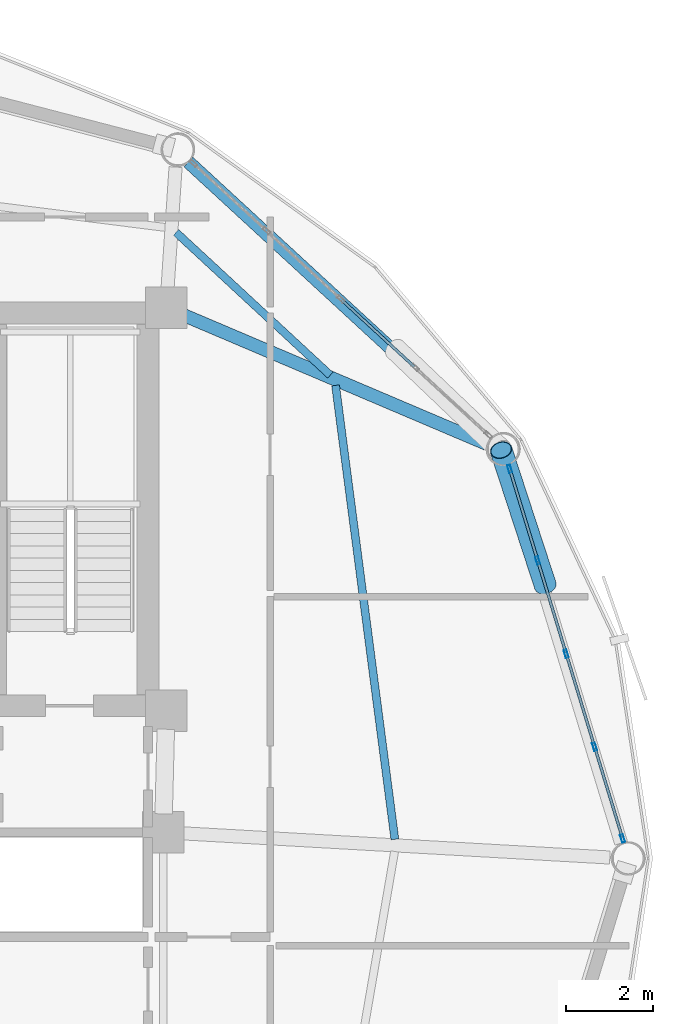
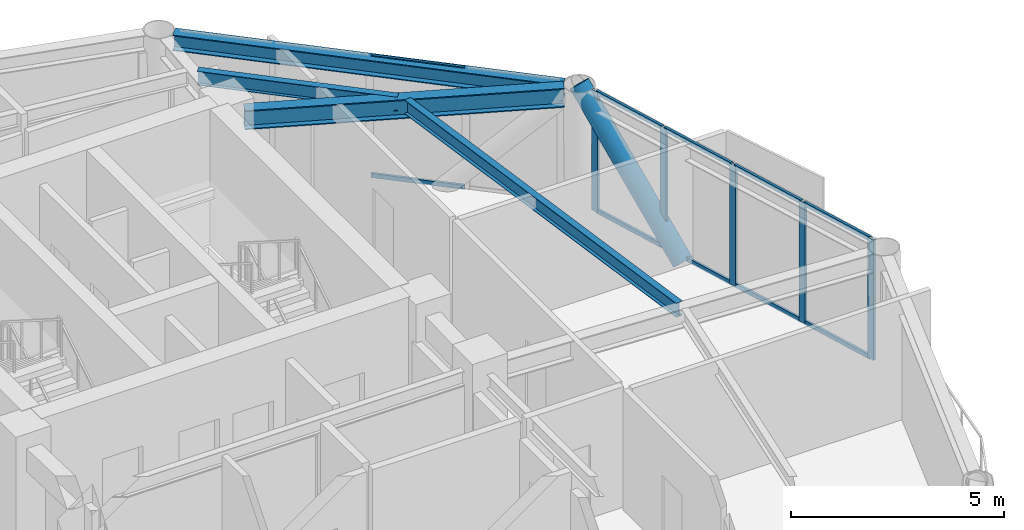
# One storey, part 16 of 26: 16 members, 4 beams, 2 elements without a shape of their own.
"""IFC4 building model written with IfcOpenShell, lengths in metres."""

from ifc_helpers import new_model, si_unit, direction, frame, origin, origin_2d, place, context, subcontext, project, spatial, hollow_rectangle, hollow_circle, i_section, extrude, material, layer, layer_set, material_profile, profile_set, type_object, element, aggregate, save


model = new_model("IFC4")

# Units and contexts
model_context = context("Model", 3, precision=1e-05, world=origin(), true_north=direction((0.0, 1.0)))
body_context = subcontext(model_context, "Body", "Model", "MODEL_VIEW")
ifc_project = project(units=[si_unit("LENGTHUNIT", "METRE"), si_unit("AREAUNIT", "SQUARE_METRE"), si_unit("VOLUMEUNIT", "CUBIC_METRE"), si_unit("PLANEANGLEUNIT", "RADIAN"), si_unit("MASSUNIT", "GRAM", prefix="KILO")], contexts=[model_context])

# Site, building, storey
site_placement = place(None, origin())
site = spatial("IfcSite", under=ifc_project, at=site_placement, CompositionType="ELEMENT")
building_placement = place(site_placement, origin())
building = spatial("IfcBuilding", under=site, at=building_placement, Name="Varnakorn Sky Granary", CompositionType="ELEMENT")
storey_placement = place(building_placement, frame((0.0, 0.0, 165.60009765625)))
storey = spatial("IfcBuildingStorey", under=building, at=storey_placement, Name="L41", CompositionType="ELEMENT", Elevation=165.60009765625)

# Beams
ifc_material_1 = material(Name="Steel S355JR", Category="steel")
ifc_material_profile_1 = material_profile(ifc_material_1, i_section(OverallWidth=0.300048828125, OverallDepth=0.550048828125, WebThickness=0.014892578125, FlangeThickness=0.029052734375, at=origin_2d()), Name="HE 550 B")
ifc_profile_set_1 = profile_set([ifc_material_profile_1], Name="Steel S355JR")
beam_type_1 = type_object("IfcBeamType", Name="BM-RAD-Z3", PredefinedType="BEAM", material=ifc_profile_set_1)
beam_1_placement = place(storey_placement, frame((8.806396484375, 12.455810546875, 3.1748046875), z_axis=(0.920271559853, -0.391280278223, 0.0), x_axis=(0.391280278223, 0.920271559853, 0.0)))
element("IfcBeam", 1, at=beam_1_placement, inside=storey, type_object=beam_type_1, Name="Radial Floor Girder RG02 L41", PredefinedType="BEAM", context=body_context, shape_type="SweptSolid", body=[
    extrude(i_section(OverallWidth=0.300048828125, OverallDepth=0.550048828125, WebThickness=0.014892578125, FlangeThickness=0.029052734375, at=origin_2d()), origin(), (0.0, 0.0, 1.0), 7.55224609375),
])
ifc_material_profile_2 = material_profile(ifc_material_1, i_section(OverallWidth=0.179931640625, OverallDepth=0.39990234375, WebThickness=0.008544921875, FlangeThickness=0.013427734375, at=origin_2d()), Name="IPE 400")
ifc_profile_set_2 = profile_set([ifc_material_profile_2], Name="Steel S355JR")
beam_type_2 = type_object("IfcBeamType", Name="BM-SEC-Z3", PredefinedType="BEAM", material=ifc_profile_set_2)
beam_2_placement = place(storey_placement, frame((13.65869140625, 0.437255859375, 3.25), z_axis=(-0.129558063632, 0.991571837109, 0.0), x_axis=(-0.991571837109, -0.129558063632, 0.0)))
element("IfcBeam", 2, at=beam_2_placement, inside=storey, type_object=beam_type_2, Name="Secondary Floor Chord Beam MSB01 L41", PredefinedType="BEAM", context=body_context, shape_type="SweptSolid", body=[
    extrude(i_section(OverallWidth=0.179931640625, OverallDepth=0.39990234375, WebThickness=0.008544921875, FlangeThickness=0.013427734375, at=origin_2d()), origin(), (0.0, 0.0, 1.0), 10.490478515625),
])
beam_3_placement = place(storey_placement, frame((12.1787109375, 11.0732421875, 3.25), z_axis=(-0.733870142748, 0.679289786161, 0.0), x_axis=(-0.679289786161, -0.733870142748, 0.0)))
element("IfcBeam", 3, at=beam_3_placement, inside=storey, type_object=beam_type_2, Name="Secondary Floor Chord Beam MSB02 L41", PredefinedType="BEAM", context=body_context, shape_type="SweptSolid", body=[
    extrude(i_section(OverallWidth=0.179931640625, OverallDepth=0.39990234375, WebThickness=0.008544921875, FlangeThickness=0.013427734375, at=origin_2d()), origin(), (0.0, 0.0, 1.0), 4.8173828125),
])
ifc_material_profile_3 = material_profile(ifc_material_1, i_section(OverallWidth=0.300048828125, OverallDepth=0.449951171875, WebThickness=0.013916015625, FlangeThickness=0.02587890625, at=origin_2d()), Name="HE 450 B")
ifc_profile_set_3 = profile_set([ifc_material_profile_3], Name="Steel S355JR")
beam_type_3 = type_object("IfcBeamType", Name="BM-SPD-Z3", PredefinedType="SPANDREL", material=ifc_profile_set_3)
beam_4_placement = place(storey_placement, frame((15.82421875, 9.60546875, 3.224853515625), z_axis=(-0.735474776919, 0.677552103174, 0.0), x_axis=(-0.677552103174, -0.735474776919, 0.0)))
element("IfcBeam", 4, at=beam_4_placement, inside=storey, type_object=beam_type_3, Name="Perimeter Spandrel Ring Beam RB02 L41", PredefinedType="SPANDREL", context=body_context, shape_type="SweptSolid", body=[
    extrude(i_section(OverallWidth=0.300048828125, OverallDepth=0.449951171875, WebThickness=0.013916015625, FlangeThickness=0.02587890625, at=origin_2d()), origin(), (0.0, 0.0, 1.0), 9.378173828125),
])

# Curtain wall, members
ifc_material_2 = material(Name="Anodised Bronze Aluminium Alloy 6063-T6", Category="aluminium")
ifc_layer = layer(ifc_material_2, 0.179931640625, Name="Anodised Bronze Aluminium Alloy 6063-T6")
ifc_layer_set = layer_set([ifc_layer], Name="Anodised Bronze Aluminium Alloy 6063-T6")
curtain_wall_type = type_object("IfcCurtainWallType", Name="CW-FRM-2", PredefinedType="USERDEFINED", material=ifc_layer_set)
curtain_wall_1_placement = place(storey_placement, origin())
curtain_wall_1 = element("IfcCurtainWall", 5, at=curtain_wall_1_placement, inside=storey, type_object=curtain_wall_type, Name="Unitised Curtain Wall CW4 CW-L41-B01", ObjectType="CURTAIN WALL", PredefinedType="USERDEFINED")
ifc_material_profile_4 = material_profile(ifc_material_2, hollow_rectangle(XDim=0.070068359375, YDim=0.18505859375, WallThickness=0.00390625, at=origin_2d()), Name="ALU MULL 70x185")
ifc_profile_set_4 = profile_set([ifc_material_profile_4], Name="Anodised Bronze Aluminium Alloy 6063-T6")
member_type_1 = type_object("IfcMemberType", Name="CW-FRM-2-MULL", PredefinedType="MULLION", material=ifc_profile_set_4)
member_1_placement = place(storey_placement, frame((16.290283203125, 8.92626953125, 0.0), z_axis=(0.0, 0.0, 1.0), x_axis=(0.956373568198, 0.292146535238, 0.0)))
member_1 = element("IfcMember", 6, at=member_1_placement, type_object=member_type_1, Name="CW4 mullion 1", PredefinedType="MULLION", context=body_context, shape_type="SweptSolid", body=[
    extrude(hollow_rectangle(XDim=0.070068359375, YDim=0.18505859375, WallThickness=0.00390625, at=origin_2d()), origin(), (0.0, 0.0, 1.0), 3.449951171875),
])
member_2_placement = place(storey_placement, frame((16.93212890625, 6.8251953125, 0.0), z_axis=(0.0, 0.0, 1.0), x_axis=(0.956373568198, 0.292146535238, 0.0)))
member_2 = element("IfcMember", 7, at=member_2_placement, type_object=member_type_1, Name="CW4 mullion 2", PredefinedType="MULLION", context=body_context, shape_type="SweptSolid", body=[
    extrude(hollow_rectangle(XDim=0.070068359375, YDim=0.18505859375, WallThickness=0.00390625, at=origin_2d()), origin(), (0.0, 0.0, 1.0), 3.449951171875),
])
member_3_placement = place(storey_placement, frame((17.584228515625, 4.690673828125, 0.0), z_axis=(0.0, 0.0, 1.0), x_axis=(0.956373568198, 0.292146535238, 0.0)))
member_3 = element("IfcMember", 8, at=member_3_placement, type_object=member_type_1, Name="CW4 mullion 3", PredefinedType="MULLION", context=body_context, shape_type="SweptSolid", body=[
    extrude(hollow_rectangle(XDim=0.070068359375, YDim=0.18505859375, WallThickness=0.00390625, at=origin_2d()), origin(), (0.0, 0.0, 1.0), 3.449951171875),
])
member_4_placement = place(storey_placement, frame((18.236083984375, 2.556396484375, 0.0), z_axis=(0.0, 0.0, 1.0), x_axis=(0.956373568198, 0.292146535238, 0.0)))
member_4 = element("IfcMember", 9, at=member_4_placement, type_object=member_type_1, Name="CW4 mullion 4", PredefinedType="MULLION", context=body_context, shape_type="SweptSolid", body=[
    extrude(hollow_rectangle(XDim=0.070068359375, YDim=0.18505859375, WallThickness=0.00390625, at=origin_2d()), origin(), (0.0, 0.0, 1.0), 3.449951171875),
])
member_5_placement = place(storey_placement, frame((18.8779296875, 0.455322265625, 0.0), z_axis=(0.0, 0.0, 1.0), x_axis=(0.956373568198, 0.292146535238, 0.0)))
member_5 = element("IfcMember", 10, at=member_5_placement, type_object=member_type_1, Name="CW4 mullion 5", PredefinedType="MULLION", context=body_context, shape_type="SweptSolid", body=[
    extrude(hollow_rectangle(XDim=0.070068359375, YDim=0.18505859375, WallThickness=0.00390625, at=origin_2d()), origin(), (0.0, 0.0, 1.0), 3.449951171875),
])
ifc_material_profile_5 = material_profile(ifc_material_2, hollow_rectangle(XDim=0.06494140625, YDim=0.1201171875, WallThickness=0.00341796875, at=origin_2d()), Name="ALU TRAN 65x120")
ifc_profile_set_5 = profile_set([ifc_material_profile_5], Name="Anodised Bronze Aluminium Alloy 6063-T6")
member_type_2 = type_object("IfcMemberType", Name="CW-FRM-2-TRAN", PredefinedType="USERDEFINED", material=ifc_profile_set_5)
member_6_placement = place(storey_placement, frame((16.300537109375, 8.892822265625, 0.032470703125), z_axis=(0.292125216537, -0.956380080231, 0.0), x_axis=(0.956380080231, 0.292125216537, 0.0)))
member_6 = element("IfcMember", 11, at=member_6_placement, type_object=member_type_2, Name="CW4 transom 1.1", ObjectType="TRANSOM", PredefinedType="USERDEFINED", context=body_context, shape_type="SweptSolid", body=[
    extrude(hollow_rectangle(XDim=0.06494140625, YDim=0.1201171875, WallThickness=0.00341796875, at=origin_2d()), origin(), (0.0, 0.0, 1.0), 2.126953125),
])
member_7_placement = place(storey_placement, frame((16.300537109375, 8.892822265625, 3.41748046875), z_axis=(0.292125216537, -0.956380080231, 0.0), x_axis=(0.956380080231, 0.292125216537, 0.0)))
member_7 = element("IfcMember", 12, at=member_7_placement, type_object=member_type_2, Name="CW4 transom 1.2", ObjectType="TRANSOM", PredefinedType="USERDEFINED", context=body_context, shape_type="SweptSolid", body=[
    extrude(hollow_rectangle(XDim=0.06494140625, YDim=0.1201171875, WallThickness=0.00341796875, at=origin_2d()), origin(), (0.0, 0.0, 1.0), 2.126953125),
])
member_8_placement = place(storey_placement, frame((16.9423828125, 6.791748046875, 0.032470703125), z_axis=(0.292141071945, -0.956375237071, 0.0), x_axis=(0.956375237071, 0.292141071945, 0.0)))
member_8 = element("IfcMember", 13, at=member_8_placement, type_object=member_type_2, Name="CW4 transom 2.1", ObjectType="TRANSOM", PredefinedType="USERDEFINED", context=body_context, shape_type="SweptSolid", body=[
    extrude(hollow_rectangle(XDim=0.06494140625, YDim=0.1201171875, WallThickness=0.00341796875, at=origin_2d()), origin(), (0.0, 0.0, 1.0), 2.161865234375),
])
member_9_placement = place(storey_placement, frame((16.9423828125, 6.791748046875, 3.41748046875), z_axis=(0.292141071945, -0.956375237071, 0.0), x_axis=(0.956375237071, 0.292141071945, 0.0)))
member_9 = element("IfcMember", 14, at=member_9_placement, type_object=member_type_2, Name="CW4 transom 2.2", ObjectType="TRANSOM", PredefinedType="USERDEFINED", context=body_context, shape_type="SweptSolid", body=[
    extrude(hollow_rectangle(XDim=0.06494140625, YDim=0.1201171875, WallThickness=0.00341796875, at=origin_2d()), origin(), (0.0, 0.0, 1.0), 2.161865234375),
])
member_10_placement = place(storey_placement, frame((17.594482421875, 4.6572265625, 0.032470703125), z_axis=(0.292069323593, -0.956397150882, 0.0), x_axis=(0.956397150882, 0.292069323593, 0.0)))
member_10 = element("IfcMember", 15, at=member_10_placement, type_object=member_type_2, Name="CW4 transom 3.1", ObjectType="TRANSOM", PredefinedType="USERDEFINED", context=body_context, shape_type="SweptSolid", body=[
    extrude(hollow_rectangle(XDim=0.06494140625, YDim=0.1201171875, WallThickness=0.00341796875, at=origin_2d()), origin(), (0.0, 0.0, 1.0), 2.16162109375),
])
member_11_placement = place(storey_placement, frame((17.594482421875, 4.6572265625, 3.41748046875), z_axis=(0.292069323593, -0.956397150882, 0.0), x_axis=(0.956397150882, 0.292069323593, 0.0)))
member_11 = element("IfcMember", 16, at=member_11_placement, type_object=member_type_2, Name="CW4 transom 3.2", ObjectType="TRANSOM", PredefinedType="USERDEFINED", context=body_context, shape_type="SweptSolid", body=[
    extrude(hollow_rectangle(XDim=0.06494140625, YDim=0.1201171875, WallThickness=0.00341796875, at=origin_2d()), origin(), (0.0, 0.0, 1.0), 2.16162109375),
])
member_12_placement = place(storey_placement, frame((18.246337890625, 2.522705078125, 0.032470703125), z_axis=(0.292157288555, -0.956370283282, 0.0), x_axis=(0.956370283282, 0.292157288555, 0.0)))
member_12 = element("IfcMember", 17, at=member_12_placement, type_object=member_type_2, Name="CW4 transom 4.1", ObjectType="TRANSOM", PredefinedType="USERDEFINED", context=body_context, shape_type="SweptSolid", body=[
    extrude(hollow_rectangle(XDim=0.06494140625, YDim=0.1201171875, WallThickness=0.00341796875, at=origin_2d()), origin(), (0.0, 0.0, 1.0), 2.126708984375),
])
member_13_placement = place(storey_placement, frame((18.246337890625, 2.522705078125, 3.41748046875), z_axis=(0.292157288555, -0.956370283282, 0.0), x_axis=(0.956370283282, 0.292157288555, 0.0)))
member_13 = element("IfcMember", 18, at=member_13_placement, type_object=member_type_2, Name="CW4 transom 4.2", ObjectType="TRANSOM", PredefinedType="USERDEFINED", context=body_context, shape_type="SweptSolid", body=[
    extrude(hollow_rectangle(XDim=0.06494140625, YDim=0.1201171875, WallThickness=0.00341796875, at=origin_2d()), origin(), (0.0, 0.0, 1.0), 2.126708984375),
])
aggregate(curtain_wall_1, [member_1, member_2, member_3, member_4, member_5, member_6, member_7, member_8, member_9, member_10, member_11, member_12, member_13])

curtain_wall_2_placement = place(storey_placement, origin())
curtain_wall_2 = element("IfcCurtainWall", 19, at=curtain_wall_2_placement, inside=storey, type_object=curtain_wall_type, Name="Unitised Curtain Wall CW4 CW-L41-B02", ObjectType="CURTAIN WALL", PredefinedType="USERDEFINED")
member_14_placement = place(storey_placement, frame((12.447021484375, 12.791748046875, 0.032470703125), z_axis=(0.735657784369, -0.677353396904, 0.0), x_axis=(0.677353396904, 0.735657784369, 0.0)))
member_14 = element("IfcMember", 20, at=member_14_placement, type_object=member_type_2, Name="CW4 transom 3.1", ObjectType="TRANSOM", PredefinedType="USERDEFINED", context=body_context, shape_type="SweptSolid", body=[
    extrude(hollow_rectangle(XDim=0.06494140625, YDim=0.1201171875, WallThickness=0.00341796875, at=origin_2d()), origin(), (0.0, 0.0, 1.0), 2.244384765625),
])
member_15_placement = place(storey_placement, frame((12.447021484375, 12.791748046875, 3.41748046875), z_axis=(0.735657784369, -0.677353396904, 0.0), x_axis=(0.677353396904, 0.735657784369, 0.0)))
member_15 = element("IfcMember", 21, at=member_15_placement, type_object=member_type_2, Name="CW4 transom 3.2", ObjectType="TRANSOM", PredefinedType="USERDEFINED", context=body_context, shape_type="SweptSolid", body=[
    extrude(hollow_rectangle(XDim=0.06494140625, YDim=0.1201171875, WallThickness=0.00341796875, at=origin_2d()), origin(), (0.0, 0.0, 1.0), 2.244384765625),
])
aggregate(curtain_wall_2, [member_14, member_15])

# Member
ifc_material_3 = material(Name="Steel S460M", Category="steel")
ifc_material_profile_6 = material_profile(ifc_material_3, hollow_circle(Radius=0.25390625, WallThickness=0.01806640625, at=origin_2d()), Name="CHS 508x18")
ifc_profile_set_6 = profile_set([ifc_material_profile_6], Name="Steel S460M")
member_type_3 = type_object("IfcMemberType", Name="MB-DIAG-T2", PredefinedType="BRACE", material=ifc_profile_set_6)
member_16_placement = place(storey_placement, frame((17.1064453125, 6.25439453125, -0.130126953125), z_axis=(-0.209127198069, 0.640483539146, 0.738949694574), x_axis=(-0.950609960255, -0.310387988596, 0.0)))
element("IfcMember", 22, at=member_16_placement, inside=storey, type_object=member_type_3, Name="Perimeter CHS Diagrid Brace DG01 L41", PredefinedType="BRACE", context=body_context, shape_type="SweptSolid", body=[
    extrude(hollow_circle(Radius=0.25390625, WallThickness=0.01806640625, at=origin_2d()), origin(), (0.0, 0.0, 1.0), 4.8447265625),
])

save(model, "model.ifc")
